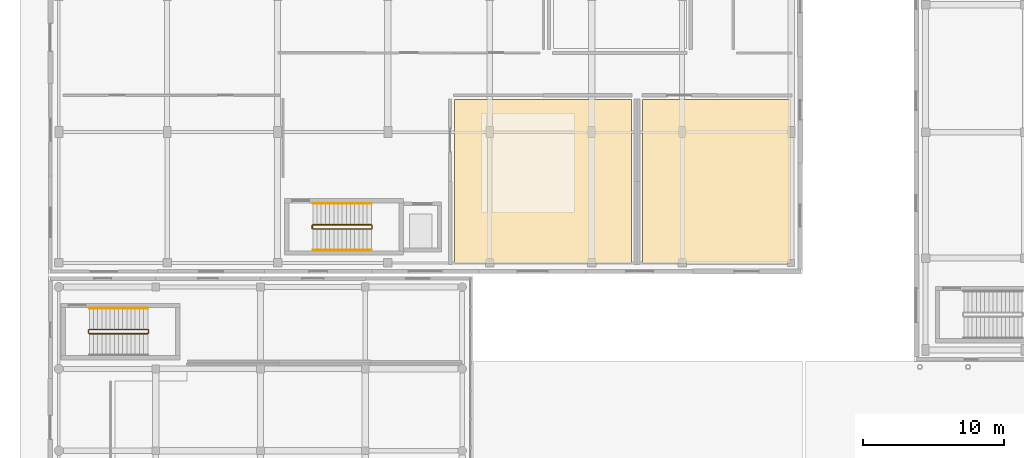
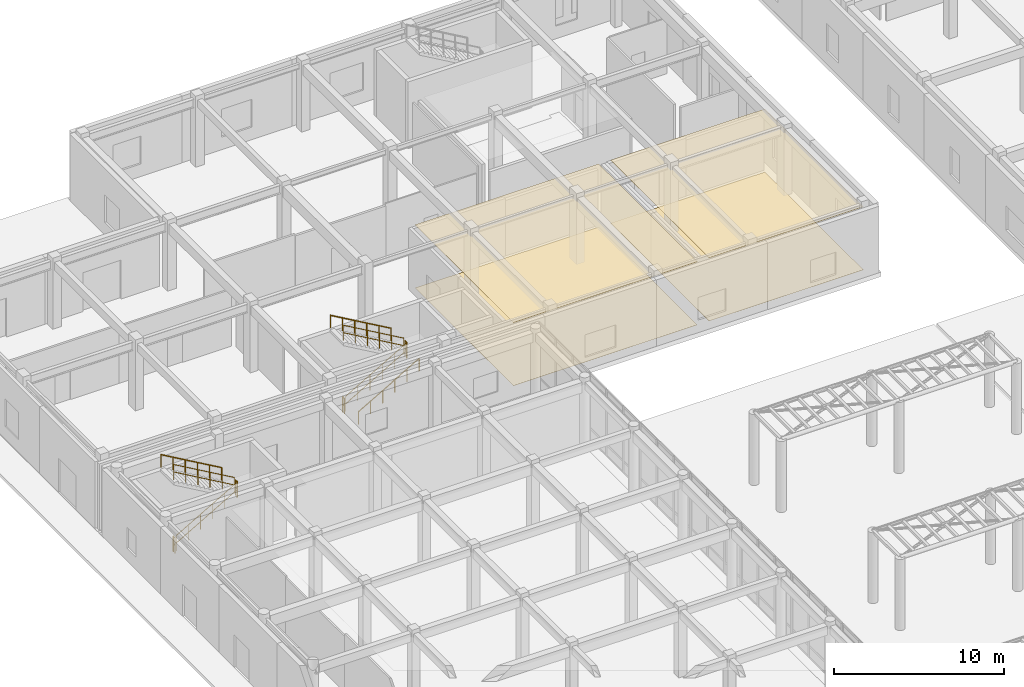
# One storey, part 117 of 121: 11 railings, 4 coverings.
"""IFC4 building model written with IfcOpenShell, lengths in metres."""

from ifc_helpers import new_model, si_unit, direction, frame, origin, origin_2d, place, context, subcontext, project, spatial, polyline, circle, outline, extrude, material, layer, layer_set, type_object, element, save


model = new_model("IFC4")

# Units and contexts
model_context = context("Model", 3, precision=1e-05, world=origin(), true_north=direction((0.0, 1.0)))
body_context = subcontext(model_context, "Body", "Model", "MODEL_VIEW")
ifc_project = project(units=[si_unit("LENGTHUNIT", "METRE"), si_unit("AREAUNIT", "SQUARE_METRE"), si_unit("VOLUMEUNIT", "CUBIC_METRE"), si_unit("PLANEANGLEUNIT", "RADIAN"), si_unit("MASSUNIT", "GRAM", prefix="KILO")], contexts=[model_context])

# Site, building, storey
site_placement = place(None, origin())
site = spatial("IfcSite", under=ifc_project, at=site_placement, CompositionType="ELEMENT")
building_placement = place(site_placement, origin())
building = spatial("IfcBuilding", under=site, at=building_placement, Name="Valcora Specialist Clinic", CompositionType="ELEMENT")
storey_placement = place(building_placement, origin())
storey = spatial("IfcBuildingStorey", under=building, at=storey_placement, Name="L00", CompositionType="ELEMENT", Elevation=0.0)

# Coverings
ifc_material_1 = material(Name="Acoustic Mineral Ceiling Tile")
ifc_layer_1 = layer(ifc_material_1, 0.02001953125)
ifc_layer_set_1 = layer_set([ifc_layer_1], Name="Acoustic Mineral Ceiling Tile")
covering_type_1 = type_object("IfcCoveringType", Name="TY-CV-CLG020", PredefinedType="CEILING", material=ifc_layer_set_1)
covering_1_placement = place(storey_placement, frame((0.0, 0.0, 4.530029296875)))
element("IfcCovering", 1, at=covering_1_placement, inside=storey, type_object=covering_type_1, Name="Acoustic ceiling tile 2", PredefinedType="CEILING", context=body_context, shape_type="SweptSolid", body=[
    extrude(outline(polyline([(28.699951171875, 92.5), (41.199951171875, 92.5), (41.199951171875, 80.89990234375), (28.699951171875, 80.89990234375), (28.699951171875, 92.5)])), origin(), (0.0, 0.0, 1.0), 0.02001953125),
])
covering_2_placement = place(storey_placement, frame((0.0, 0.0, 4.530029296875)))
element("IfcCovering", 2, at=covering_2_placement, inside=storey, type_object=covering_type_1, Name="Acoustic ceiling tile 3", PredefinedType="CEILING", context=body_context, shape_type="SweptSolid", body=[
    extrude(outline(polyline([(52.5, 92.5), (52.5, 80.89990234375), (42.0, 80.89990234375), (42.0, 92.5), (52.5, 92.5)])), origin(), (0.0, 0.0, 1.0), 0.02001953125),
])
ifc_material_2 = material(Name="Antimicrobial Vinyl Clinical Flooring")
ifc_layer_2 = layer(ifc_material_2, 0.008056640625)
ifc_layer_set_2 = layer_set([ifc_layer_2], Name="Antimicrobial Vinyl Clinical Flooring")
covering_type_2 = type_object("IfcCoveringType", Name="TY-CV-FLR008", PredefinedType="FLOORING", material=ifc_layer_set_2)
covering_3_placement = place(storey_placement, origin())
element("IfcCovering", 3, at=covering_3_placement, inside=storey, type_object=covering_type_2, Name="Antimicrobial clinical flooring 2", PredefinedType="FLOORING", context=body_context, shape_type="SweptSolid", body=[
    extrude(outline(polyline([(28.699951171875, 92.5), (41.199951171875, 92.5), (41.199951171875, 80.89990234375), (28.699951171875, 80.89990234375), (28.699951171875, 92.5)])), origin(), (0.0, 0.0, 1.0), 0.008056640625),
])
covering_4_placement = place(storey_placement, origin())
element("IfcCovering", 4, at=covering_4_placement, inside=storey, type_object=covering_type_2, Name="Antimicrobial clinical flooring 3", PredefinedType="FLOORING", context=body_context, shape_type="SweptSolid", body=[
    extrude(outline(polyline([(52.5, 92.5), (52.5, 80.89990234375), (42.0, 80.89990234375), (42.0, 92.5), (52.5, 92.5)])), origin(), (0.0, 0.0, 1.0), 0.008056640625),
])

# Railings
ifc_material_3 = material(Name="Stainless Steel AISI 316", Category="steel")
railing_type_1 = type_object("IfcRailingType", Name="TY-RL-GRD112", PredefinedType="GUARDRAIL", material=ifc_material_3)
railing_1_placement = place(storey_placement, frame((2.89990234375, 75.949951171875, 0.169921875)))
element("IfcRailing", 5, at=railing_1_placement, inside=storey, type_object=railing_type_1, Name="L00 ST-V1B stair guard 1", PredefinedType="GUARDRAIL", context=body_context, shape_type="SweptSolid", body=[
    extrude(circle(Radius=0.02392578125, at=origin_2d()), frame((0.0, 0.0, 1.09619140625), z_axis=(0.866425082981, 0.0, 0.499307095465), x_axis=(0.0, 1.0, 0.0)), (0.0, 0.0, 1.0), 4.766845703125),
    extrude(circle(Radius=0.02392578125, at=origin_2d()), frame((0.0, 0.0, 0.56005859375), z_axis=(0.866425082981, 0.0, 0.499307095465), x_axis=(0.0, 1.0, 0.0)), (0.0, 0.0, 1.0), 4.766845703125),
    extrude(circle(Radius=0.02099609375, at=origin_2d()), origin(), (0.0, 0.0, 1.0), 1.072021484375),
    extrude(circle(Radius=0.02099609375, at=origin_2d()), frame((0.825927734375, 0.0, 0.47607421875)), (0.0, 0.0, 1.0), 1.072021484375),
    extrude(circle(Radius=0.02099609375, at=origin_2d()), frame((1.652099609375, 0.0, 0.9521484375)), (0.0, 0.0, 1.0), 1.072021484375),
    extrude(circle(Radius=0.02099609375, at=origin_2d()), frame((2.47802734375, 0.0, 1.427978515625)), (0.0, 0.0, 1.0), 1.072021484375),
    extrude(circle(Radius=0.02099609375, at=origin_2d()), frame((3.30419921875, 0.0, 1.904052734375)), (0.0, 0.0, 1.0), 1.072021484375),
    extrude(circle(Radius=0.02099609375, at=origin_2d()), frame((4.130126953125, 0.0, 2.380126953125)), (0.0, 0.0, 1.0), 1.072021484375),
])
railing_2_placement = place(storey_placement, frame((7.080078125, 76.0, 2.550048828125)))
element("IfcRailing", 6, at=railing_2_placement, inside=storey, type_object=railing_type_1, Name="L00 ST-V1B stair guard 2", PredefinedType="GUARDRAIL", context=body_context, shape_type="SweptSolid", body=[
    extrude(circle(Radius=0.02392578125, at=origin_2d()), frame((0.0, 0.0, 1.09619140625), z_axis=(0.0, 1.0, 0.0), x_axis=(-1.0, 0.0, 0.0)), (0.0, 0.0, 1.0), 0.199951171875),
    extrude(circle(Radius=0.02392578125, at=origin_2d()), frame((0.0, 0.0, 0.56005859375), z_axis=(0.0, 1.0, 0.0), x_axis=(-1.0, 0.0, 0.0)), (0.0, 0.0, 1.0), 0.199951171875),
    extrude(circle(Radius=0.02099609375, at=origin_2d()), origin(), (0.0, 0.0, 1.0), 1.072021484375),
    extrude(circle(Radius=0.02099609375, at=origin_2d()), frame((0.0, 0.199951171875, 0.0)), (0.0, 0.0, 1.0), 1.072021484375),
])
railing_3_placement = place(storey_placement, frame((7.030029296875, 76.25, 2.719970703125)))
element("IfcRailing", 7, at=railing_3_placement, inside=storey, type_object=railing_type_1, Name="L00 ST-V1B stair guard 3", PredefinedType="GUARDRAIL", context=body_context, shape_type="SweptSolid", body=[
    extrude(circle(Radius=0.02392578125, at=origin_2d()), frame((0.0, 0.0, 1.09619140625), z_axis=(-0.866425082981, 0.0, 0.499307095465), x_axis=(0.0, -1.0, 0.0)), (0.0, 0.0, 1.0), 4.766845703125),
    extrude(circle(Radius=0.02392578125, at=origin_2d()), frame((0.0, 0.0, 0.56005859375), z_axis=(-0.866425082981, 0.0, 0.499307095465), x_axis=(0.0, -1.0, 0.0)), (0.0, 0.0, 1.0), 4.766845703125),
    extrude(circle(Radius=0.02099609375, at=origin_2d()), origin(), (0.0, 0.0, 1.0), 1.072021484375),
    extrude(circle(Radius=0.02099609375, at=origin_2d()), frame((-0.825927734375, 0.0, 0.47607421875)), (0.0, 0.0, 1.0), 1.072021484375),
    extrude(circle(Radius=0.02099609375, at=origin_2d()), frame((-1.652099609375, 0.0, 0.9521484375)), (0.0, 0.0, 1.0), 1.072021484375),
    extrude(circle(Radius=0.02099609375, at=origin_2d()), frame((-2.47802734375, 0.0, 1.427978515625)), (0.0, 0.0, 1.0), 1.072021484375),
    extrude(circle(Radius=0.02099609375, at=origin_2d()), frame((-3.30419921875, 0.0, 1.904052734375)), (0.0, 0.0, 1.0), 1.072021484375),
    extrude(circle(Radius=0.02099609375, at=origin_2d()), frame((-4.130126953125, 0.0, 2.380126953125)), (0.0, 0.0, 1.0), 1.072021484375),
])
railing_4_placement = place(storey_placement, frame((2.85009765625, 76.0, 0.0)))
element("IfcRailing", 8, at=railing_4_placement, inside=storey, type_object=railing_type_1, Name="L00 ST-V1B stair guard 4", PredefinedType="GUARDRAIL", context=body_context, shape_type="SweptSolid", body=[
    extrude(circle(Radius=0.02392578125, at=origin_2d()), frame((0.0, 0.0, 1.09619140625), z_axis=(0.0, 1.0, 0.0), x_axis=(-1.0, 0.0, 0.0)), (0.0, 0.0, 1.0), 0.199951171875),
    extrude(circle(Radius=0.02392578125, at=origin_2d()), frame((0.0, 0.0, 0.56005859375), z_axis=(0.0, 1.0, 0.0), x_axis=(-1.0, 0.0, 0.0)), (0.0, 0.0, 1.0), 0.199951171875),
    extrude(circle(Radius=0.02099609375, at=origin_2d()), origin(), (0.0, 0.0, 1.0), 1.072021484375),
    extrude(circle(Radius=0.02099609375, at=origin_2d()), frame((0.0, 0.199951171875, 0.0)), (0.0, 0.0, 1.0), 1.072021484375),
])
railing_5_placement = place(storey_placement, frame((18.699951171875, 83.35009765625, 0.169921875)))
element("IfcRailing", 9, at=railing_5_placement, inside=storey, type_object=railing_type_1, Name="L00 ST-V2A stair guard 1", PredefinedType="GUARDRAIL", context=body_context, shape_type="SweptSolid", body=[
    extrude(circle(Radius=0.02392578125, at=origin_2d()), frame((0.0, 0.0, 1.09619140625), z_axis=(0.866425082981, 0.0, 0.499307095465), x_axis=(0.0, 1.0, 0.0)), (0.0, 0.0, 1.0), 4.766845703125),
    extrude(circle(Radius=0.02392578125, at=origin_2d()), frame((0.0, 0.0, 0.56005859375), z_axis=(0.866425082981, 0.0, 0.499307095465), x_axis=(0.0, 1.0, 0.0)), (0.0, 0.0, 1.0), 4.766845703125),
    extrude(circle(Radius=0.02099609375, at=origin_2d()), origin(), (0.0, 0.0, 1.0), 1.072021484375),
    extrude(circle(Radius=0.02099609375, at=origin_2d()), frame((0.825927734375, 0.0, 0.47607421875)), (0.0, 0.0, 1.0), 1.072021484375),
    extrude(circle(Radius=0.02099609375, at=origin_2d()), frame((1.652099609375, 0.0, 0.9521484375)), (0.0, 0.0, 1.0), 1.072021484375),
    extrude(circle(Radius=0.02099609375, at=origin_2d()), frame((2.47802734375, 0.0, 1.427978515625)), (0.0, 0.0, 1.0), 1.072021484375),
    extrude(circle(Radius=0.02099609375, at=origin_2d()), frame((3.30419921875, 0.0, 1.904052734375)), (0.0, 0.0, 1.0), 1.072021484375),
    extrude(circle(Radius=0.02099609375, at=origin_2d()), frame((4.130126953125, 0.0, 2.380126953125)), (0.0, 0.0, 1.0), 1.072021484375),
])
railing_6_placement = place(storey_placement, frame((22.8798828125, 83.39990234375, 2.550048828125)))
element("IfcRailing", 10, at=railing_6_placement, inside=storey, type_object=railing_type_1, Name="L00 ST-V2A stair guard 2", PredefinedType="GUARDRAIL", context=body_context, shape_type="SweptSolid", body=[
    extrude(circle(Radius=0.02392578125, at=origin_2d()), frame((0.0, 0.0, 1.09619140625), z_axis=(0.0, 1.0, 0.0), x_axis=(-1.0, 0.0, 0.0)), (0.0, 0.0, 1.0), 0.2001953125),
    extrude(circle(Radius=0.02392578125, at=origin_2d()), frame((0.0, 0.0, 0.56005859375), z_axis=(0.0, 1.0, 0.0), x_axis=(-1.0, 0.0, 0.0)), (0.0, 0.0, 1.0), 0.2001953125),
    extrude(circle(Radius=0.02099609375, at=origin_2d()), origin(), (0.0, 0.0, 1.0), 1.072021484375),
    extrude(circle(Radius=0.02099609375, at=origin_2d()), frame((0.0, 0.2001953125, 0.0)), (0.0, 0.0, 1.0), 1.072021484375),
])
railing_7_placement = place(storey_placement, frame((22.830078125, 83.64990234375, 2.719970703125)))
element("IfcRailing", 11, at=railing_7_placement, inside=storey, type_object=railing_type_1, Name="L00 ST-V2A stair guard 3", PredefinedType="GUARDRAIL", context=body_context, shape_type="SweptSolid", body=[
    extrude(circle(Radius=0.02392578125, at=origin_2d()), frame((0.0, 0.0, 1.09619140625), z_axis=(-0.866425082981, 0.0, 0.499307095465), x_axis=(0.0, -1.0, 0.0)), (0.0, 0.0, 1.0), 4.766845703125),
    extrude(circle(Radius=0.02392578125, at=origin_2d()), frame((0.0, 0.0, 0.56005859375), z_axis=(-0.866425082981, 0.0, 0.499307095465), x_axis=(0.0, -1.0, 0.0)), (0.0, 0.0, 1.0), 4.766845703125),
    extrude(circle(Radius=0.02099609375, at=origin_2d()), origin(), (0.0, 0.0, 1.0), 1.072021484375),
    extrude(circle(Radius=0.02099609375, at=origin_2d()), frame((-0.825927734375, 0.0, 0.47607421875)), (0.0, 0.0, 1.0), 1.072021484375),
    extrude(circle(Radius=0.02099609375, at=origin_2d()), frame((-1.652099609375, 0.0, 0.9521484375)), (0.0, 0.0, 1.0), 1.072021484375),
    extrude(circle(Radius=0.02099609375, at=origin_2d()), frame((-2.47802734375, 0.0, 1.427978515625)), (0.0, 0.0, 1.0), 1.072021484375),
    extrude(circle(Radius=0.02099609375, at=origin_2d()), frame((-3.30419921875, 0.0, 1.904052734375)), (0.0, 0.0, 1.0), 1.072021484375),
    extrude(circle(Radius=0.02099609375, at=origin_2d()), frame((-4.130126953125, 0.0, 2.380126953125)), (0.0, 0.0, 1.0), 1.072021484375),
])
railing_8_placement = place(storey_placement, frame((18.64990234375, 83.39990234375, 0.0)))
element("IfcRailing", 12, at=railing_8_placement, inside=storey, type_object=railing_type_1, Name="L00 ST-V2A stair guard 4", PredefinedType="GUARDRAIL", context=body_context, shape_type="SweptSolid", body=[
    extrude(circle(Radius=0.02392578125, at=origin_2d()), frame((0.0, 0.0, 1.09619140625), z_axis=(0.0, 1.0, 0.0), x_axis=(-1.0, 0.0, 0.0)), (0.0, 0.0, 1.0), 0.2001953125),
    extrude(circle(Radius=0.02392578125, at=origin_2d()), frame((0.0, 0.0, 0.56005859375), z_axis=(0.0, 1.0, 0.0), x_axis=(-1.0, 0.0, 0.0)), (0.0, 0.0, 1.0), 0.2001953125),
    extrude(circle(Radius=0.02099609375, at=origin_2d()), origin(), (0.0, 0.0, 1.0), 1.072021484375),
    extrude(circle(Radius=0.02099609375, at=origin_2d()), frame((0.0, 0.2001953125, 0.0)), (0.0, 0.0, 1.0), 1.072021484375),
])
railing_type_2 = type_object("IfcRailingType", Name="TY-RL-HND092", PredefinedType="HANDRAIL", material=ifc_material_3)
railing_9_placement = place(storey_placement, frame((7.030029296875, 77.75, 2.719970703125)))
element("IfcRailing", 13, at=railing_9_placement, inside=storey, type_object=railing_type_2, Name="L00 ST-V1B stair handrail 2", PredefinedType="HANDRAIL", context=body_context, shape_type="SweptSolid", body=[
    extrude(circle(Radius=0.02392578125, at=origin_2d()), frame((0.0, 0.0, 0.89599609375), z_axis=(-0.866425082981, 0.0, 0.499307095465), x_axis=(0.0, -1.0, 0.0)), (0.0, 0.0, 1.0), 4.766845703125),
    extrude(circle(Radius=0.02099609375, at=origin_2d()), origin(), (0.0, 0.0, 1.0), 0.871826171875),
    extrude(circle(Radius=0.02099609375, at=origin_2d()), frame((-0.825927734375, 0.0, 0.47607421875)), (0.0, 0.0, 1.0), 0.871826171875),
    extrude(circle(Radius=0.02099609375, at=origin_2d()), frame((-1.652099609375, 0.0, 0.9521484375)), (0.0, 0.0, 1.0), 0.871826171875),
    extrude(circle(Radius=0.02099609375, at=origin_2d()), frame((-2.47802734375, 0.0, 1.427978515625)), (0.0, 0.0, 1.0), 0.871826171875),
    extrude(circle(Radius=0.02099609375, at=origin_2d()), frame((-3.30419921875, 0.0, 1.904052734375)), (0.0, 0.0, 1.0), 0.871826171875),
    extrude(circle(Radius=0.02099609375, at=origin_2d()), frame((-4.130126953125, 0.0, 2.380126953125)), (0.0, 0.0, 1.0), 0.871826171875),
])
railing_10_placement = place(storey_placement, frame((18.699951171875, 81.85009765625, 0.169921875)))
element("IfcRailing", 14, at=railing_10_placement, inside=storey, type_object=railing_type_2, Name="L00 ST-V2A stair handrail 1", PredefinedType="HANDRAIL", context=body_context, shape_type="SweptSolid", body=[
    extrude(circle(Radius=0.02392578125, at=origin_2d()), frame((0.0, 0.0, 0.89599609375), z_axis=(0.866425082981, 0.0, 0.499307095465), x_axis=(0.0, 1.0, 0.0)), (0.0, 0.0, 1.0), 4.766845703125),
    extrude(circle(Radius=0.02099609375, at=origin_2d()), origin(), (0.0, 0.0, 1.0), 0.871826171875),
    extrude(circle(Radius=0.02099609375, at=origin_2d()), frame((0.825927734375, 0.0, 0.47607421875)), (0.0, 0.0, 1.0), 0.871826171875),
    extrude(circle(Radius=0.02099609375, at=origin_2d()), frame((1.652099609375, 0.0, 0.9521484375)), (0.0, 0.0, 1.0), 0.871826171875),
    extrude(circle(Radius=0.02099609375, at=origin_2d()), frame((2.47802734375, 0.0, 1.427978515625)), (0.0, 0.0, 1.0), 0.871826171875),
    extrude(circle(Radius=0.02099609375, at=origin_2d()), frame((3.30419921875, 0.0, 1.904052734375)), (0.0, 0.0, 1.0), 0.871826171875),
    extrude(circle(Radius=0.02099609375, at=origin_2d()), frame((4.130126953125, 0.0, 2.380126953125)), (0.0, 0.0, 1.0), 0.871826171875),
])
railing_11_placement = place(storey_placement, frame((22.830078125, 85.14990234375, 2.719970703125)))
element("IfcRailing", 15, at=railing_11_placement, inside=storey, type_object=railing_type_2, Name="L00 ST-V2A stair handrail 2", PredefinedType="HANDRAIL", context=body_context, shape_type="SweptSolid", body=[
    extrude(circle(Radius=0.02392578125, at=origin_2d()), frame((0.0, 0.0, 0.89599609375), z_axis=(-0.866425082981, 0.0, 0.499307095465), x_axis=(0.0, -1.0, 0.0)), (0.0, 0.0, 1.0), 4.766845703125),
    extrude(circle(Radius=0.02099609375, at=origin_2d()), origin(), (0.0, 0.0, 1.0), 0.871826171875),
    extrude(circle(Radius=0.02099609375, at=origin_2d()), frame((-0.825927734375, 0.0, 0.47607421875)), (0.0, 0.0, 1.0), 0.871826171875),
    extrude(circle(Radius=0.02099609375, at=origin_2d()), frame((-1.652099609375, 0.0, 0.9521484375)), (0.0, 0.0, 1.0), 0.871826171875),
    extrude(circle(Radius=0.02099609375, at=origin_2d()), frame((-2.47802734375, 0.0, 1.427978515625)), (0.0, 0.0, 1.0), 0.871826171875),
    extrude(circle(Radius=0.02099609375, at=origin_2d()), frame((-3.30419921875, 0.0, 1.904052734375)), (0.0, 0.0, 1.0), 0.871826171875),
    extrude(circle(Radius=0.02099609375, at=origin_2d()), frame((-4.130126953125, 0.0, 2.380126953125)), (0.0, 0.0, 1.0), 0.871826171875),
])

save(model, "model.ifc")
